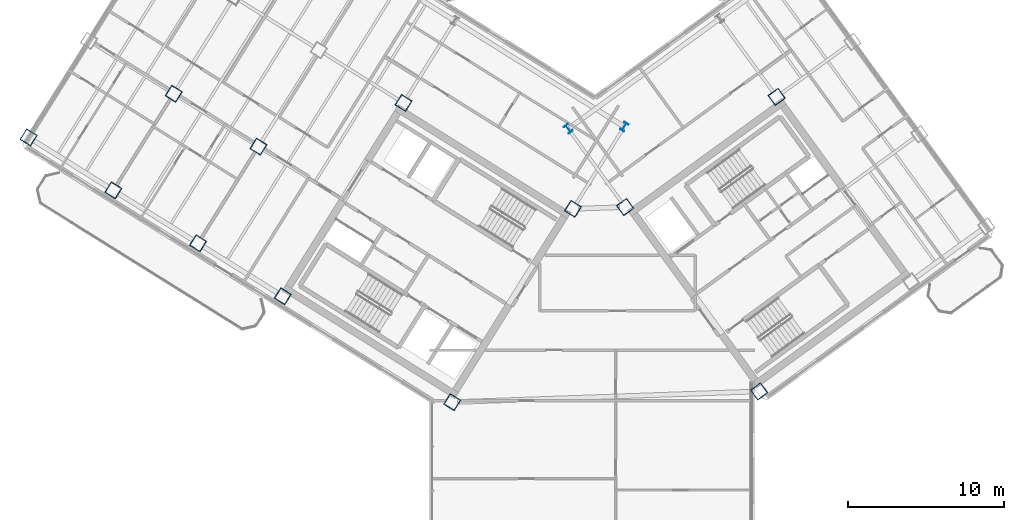
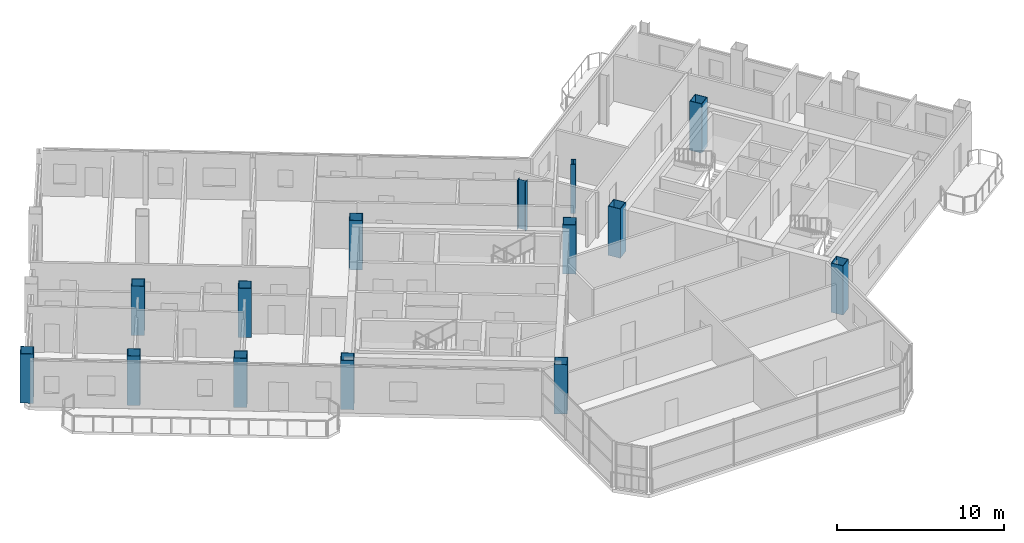
# One storey, part 1 of 21: 14 columns.
"""IFC4 building model written with IfcOpenShell, lengths in metres."""

from ifc_helpers import new_model, si_unit, direction, frame, origin, origin_2d, place, context, subcontext, project, spatial, hollow_rectangle, i_section, extrude, source, transform, mapped, material, material_profile, profile_set, type_object, element, save


model = new_model("IFC4")

# Units and contexts
model_context = context("Model", 3, precision=1e-05, world=origin(), true_north=direction((0.0, 1.0)))
body_context = subcontext(model_context, "Body", "Model", "MODEL_VIEW")
ifc_project = project(units=[si_unit("LENGTHUNIT", "METRE"), si_unit("AREAUNIT", "SQUARE_METRE"), si_unit("VOLUMEUNIT", "CUBIC_METRE"), si_unit("PLANEANGLEUNIT", "RADIAN"), si_unit("MASSUNIT", "GRAM", prefix="KILO")], contexts=[model_context])

# Site, building, storey
site_placement = place(None, origin())
site = spatial("IfcSite", under=ifc_project, at=site_placement, CompositionType="ELEMENT")
building_placement = place(site_placement, origin())
building = spatial("IfcBuilding", under=site, at=building_placement, Name="Tlacorven Tower", CompositionType="ELEMENT")
storey_placement = place(building_placement, frame((0.0, 0.0, 214.800048828125)))
storey = spatial("IfcBuildingStorey", under=building, at=storey_placement, Name="L54", CompositionType="ELEMENT", Elevation=214.800048828125)

# Columns
ifc_material = material(Name="Steel S460M", Category="steel")
ifc_material_profile_1 = material_profile(ifc_material, i_section(OverallWidth=0.300048828125, OverallDepth=0.550048828125, WebThickness=0.014892578125, FlangeThickness=0.029052734375, at=origin_2d()), Name="HEB 550")
ifc_profile_set_1 = profile_set([ifc_material_profile_1], Name="Steel S460M")
column_type_1 = type_object("IfcColumnType", Name="COL-TWR-P2", PredefinedType="COLUMN", material=ifc_profile_set_1)
shared_shape_1 = source(origin(), body_context, "Body", "SweptSolid", [
    extrude(i_section(OverallWidth=0.300048828125, OverallDepth=0.550048828125, WebThickness=0.014892578125, FlangeThickness=0.029052734375, at=origin_2d()), origin(), (0.0, 0.0, 1.0), 3.599853515625),
])
for number, where, z_axis, x_axis, name in (
    (1, (44.068359375, 29.726318359375, 0.0), (0.0, 0.0, 1.0), (-0.848048096156, 0.529919264233, 0.0), "L54 column COL-L54-W1-1"),
    (2, (40.4794921875, 29.60107421875, 0.0), (0.0, 0.0, 1.0), (0.809016994375, 0.587785252292, 0.0), "L54 column COL-L54-E1-4"),
):
    element("IfcColumn", number, at=place(storey_placement, frame(where, z_axis=z_axis, x_axis=x_axis)), inside=storey, type_object=column_type_1, Name=name, PredefinedType="COLUMN", context=body_context, shape_type="MappedRepresentation", body=[
        mapped(shared_shape_1, transform((0.0, 0.0, 0.0), scale=1.0)),
    ])
ifc_material_profile_2 = material_profile(ifc_material, hollow_rectangle(XDim=0.800048828125, YDim=0.800048828125, WallThickness=0.031982421875, at=origin_2d()), Name="BOX 800X800X32")
ifc_profile_set_2 = profile_set([ifc_material_profile_2], Name="Steel S460M")
column_type_2 = type_object("IfcColumnType", Name="COL-TWR-S3", PredefinedType="COLUMN", material=ifc_profile_set_2)
shared_shape_2 = source(origin(), body_context, "Body", "SweptSolid", [
    extrude(hollow_rectangle(XDim=0.800048828125, YDim=0.800048828125, WallThickness=0.031982421875, at=origin_2d()), origin(), (0.0, 0.0, 1.0), 3.599853515625),
])
for number, where, z_axis, x_axis, name in (
    (3, (40.782958984375, 24.468505859375, 0.0), (0.0, 0.0, 1.0), (-0.848048096156, 0.529919264233, 0.0), "L54 column COL-L54-W1-2"),
    (4, (33.046142578125, 12.0869140625, 0.0), (0.0, 0.0, 1.0), (-0.848048096156, 0.529919264233, 0.0), "L54 column COL-L54-W1-4"),
    (5, (29.927978515625, 31.25146484375, 0.0), (0.0, 0.0, 1.0), (-0.848048096156, 0.529919264233, 0.0), "L54 column COL-L54-W3-2"),
    (6, (22.191162109375, 18.869873046875, 0.0), (0.0, 0.0, 1.0), (-0.848048096156, 0.529919264233, 0.0), "L54 column COL-L54-W3-4"),
    (7, (20.632080078125, 28.4521484375, 0.0), (0.0, 0.0, 1.0), (-0.848048096156, 0.529919264233, 0.0), "L54 column COL-L54-W4-3"),
    (8, (16.763671875, 22.26123046875, 0.0), (0.0, 0.0, 1.0), (-0.848048096156, 0.529919264233, 0.0), "L54 column COL-L54-W4-4"),
    (9, (15.20458984375, 31.843505859375, 0.0), (0.0, 0.0, 1.0), (-0.848048096156, 0.529919264233, 0.0), "L54 column COL-L54-W5-3"),
    (10, (11.336181640625, 25.65283203125, 0.0), (0.0, 0.0, 1.0), (-0.848048096156, 0.529919264233, 0.0), "L54 column COL-L54-W5-4"),
    (11, (5.90869140625, 29.044189453125, 0.0), (0.0, 0.0, 1.0), (-0.848048096156, 0.529919264233, 0.0), "L54 column COL-L54-W6-4"),
    (12, (52.705322265625, 12.7734375, 0.0), (0.0, 0.0, 1.0), (0.809016994375, 0.587785252292, 0.0), "L54 column COL-L54-E1-1"),
    (13, (44.123779296875, 24.5849609375, 0.0), (0.0, 0.0, 1.0), (0.809016994375, 0.587785252292, 0.0), "L54 column COL-L54-E1-3"),
    (14, (53.83203125, 31.638427734375, 0.0), (0.0, 0.0, 1.0), (0.809016994375, 0.587785252292, 0.0), "L54 column COL-L54-E3-3"),
):
    element("IfcColumn", number, at=place(storey_placement, frame(where, z_axis=z_axis, x_axis=x_axis)), inside=storey, type_object=column_type_2, Name=name, PredefinedType="COLUMN", context=body_context, shape_type="MappedRepresentation", body=[
        mapped(shared_shape_2, transform((0.0, 0.0, 0.0), scale=1.0)),
    ])

save(model, "model.ifc")
